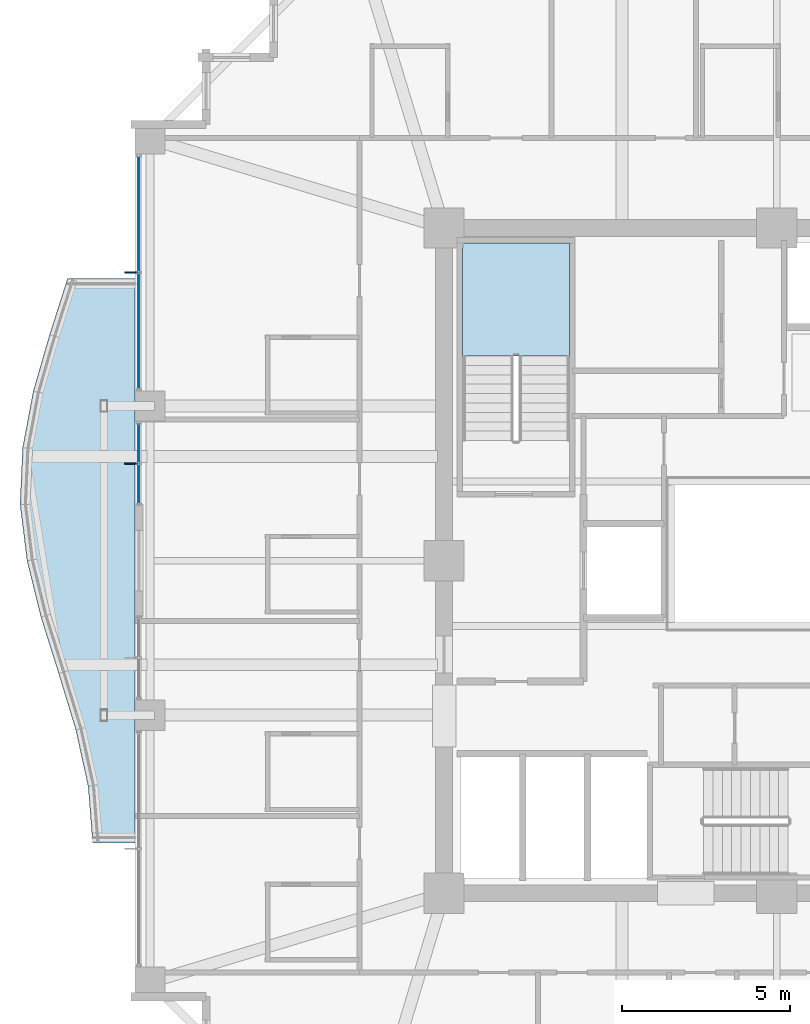
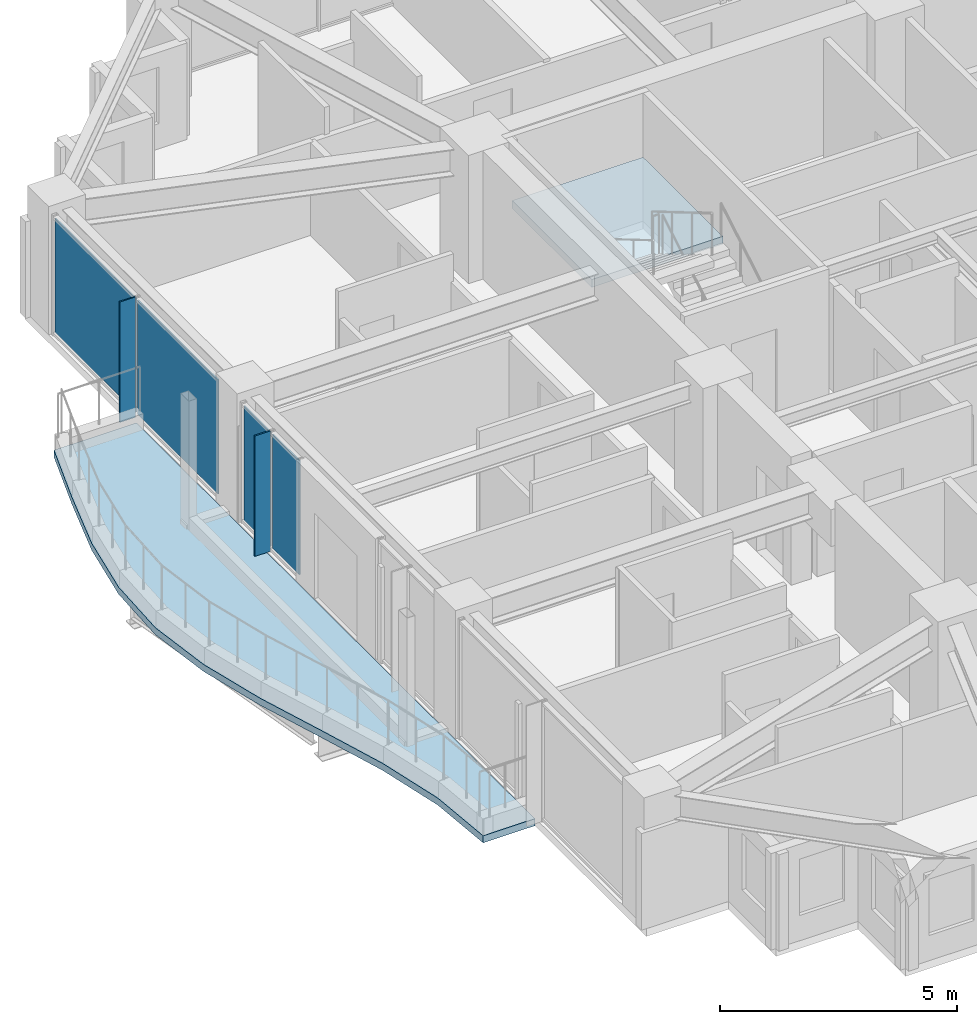
# One storey, part 26 of 37: 6 plates, 2 slabs, 3 elements without a shape of their own.
"""IFC4 building model written with IfcOpenShell, lengths in metres."""

from ifc_helpers import new_model, si_unit, direction, frame, origin, origin_2d, place, context, subcontext, project, spatial, polyline, rectangle, outline, extrude, material, layer, layer_set, type_object, element, aggregate, save


model = new_model("IFC4")

# Units and contexts
model_context = context("Model", 3, precision=1e-05, world=origin(), true_north=direction((0.0, 1.0)))
body_context = subcontext(model_context, "Body", "Model", "MODEL_VIEW")
ifc_project = project(units=[si_unit("LENGTHUNIT", "METRE"), si_unit("AREAUNIT", "SQUARE_METRE"), si_unit("VOLUMEUNIT", "CUBIC_METRE"), si_unit("PLANEANGLEUNIT", "RADIAN"), si_unit("MASSUNIT", "GRAM", prefix="KILO")], contexts=[model_context])

# Site, building, storey
site_placement = place(None, origin())
site = spatial("IfcSite", under=ifc_project, at=site_placement, CompositionType="ELEMENT")
building_placement = place(site_placement, origin())
building = spatial("IfcBuilding", under=site, at=building_placement, Name="Kolvaren Belvedere", CompositionType="ELEMENT")
storey_placement = place(building_placement, frame((0.0, 0.0, 156.89990234375)))
storey = spatial("IfcBuildingStorey", under=building, at=storey_placement, Name="L45", CompositionType="ELEMENT", Elevation=156.89990234375)

# Curtain wall, plates
ifc_material_1 = material(Name="Anodised pale-metal aluminium AA 6063-T6", Category="aluminium")
curtain_wall_type = type_object("IfcCurtainWallType", Name="CW-Z3-WAIST", PredefinedType="NOTDEFINED", material=ifc_material_1)
curtain_wall_1_placement = place(storey_placement, origin())
curtain_wall_1 = element("IfcCurtainWall", 1, at=curtain_wall_1_placement, inside=storey, type_object=curtain_wall_type, Name="L45 Unitised Curtain Wall FCW-L45-W2-B1", PredefinedType="NOTDEFINED")
ifc_material_2 = material(Name="Low-iron triple insulated glass", Category="glass")
ifc_layer_1 = layer(ifc_material_2, 0.028076171875)
ifc_layer_set_1 = layer_set([ifc_layer_1], Name="Low-iron triple insulated glass")
plate_type_1 = type_object("IfcPlateType", Name="CW-PNL-VIS28", PredefinedType="CURTAIN_PANEL", material=ifc_layer_set_1)
plate_1_placement = place(storey_placement, frame((-18.97998046875, 2.284423828125, 0.080078125), z_axis=(0.0, 0.0, 1.0), x_axis=(0.0, 1.0, 0.0)))
plate_1 = element("IfcPlate", 2, at=plate_1_placement, type_object=plate_type_1, Name="FCW-L45-W2-B1 Vision Glazing Panel 1", PredefinedType="CURTAIN_PANEL", context=body_context, shape_type="SweptSolid", body=[
    extrude(rectangle(XDim=1.12890625, YDim=0.028076171875, at=origin_2d()), origin(), (0.0, 0.0, 1.0), 2.93994140625),
])
plate_2_placement = place(storey_placement, frame((-18.97998046875, 3.4931640625, 0.080078125), z_axis=(0.0, 0.0, 1.0), x_axis=(0.0, 1.0, 0.0)))
plate_2 = element("IfcPlate", 3, at=plate_2_placement, type_object=plate_type_1, Name="FCW-L45-W2-B1 Vision Glazing Panel 2", PredefinedType="CURTAIN_PANEL", context=body_context, shape_type="SweptSolid", body=[
    extrude(rectangle(XDim=1.12890625, YDim=0.028076171875, at=origin_2d()), origin(), (0.0, 0.0, 1.0), 2.93994140625),
])
aggregate(curtain_wall_1, [plate_1, plate_2])

curtain_wall_2_placement = place(storey_placement, origin())
curtain_wall_2 = element("IfcCurtainWall", 4, at=curtain_wall_2_placement, inside=storey, type_object=curtain_wall_type, Name="L45 Unitised Curtain Wall FCW-L45-W2-B2", PredefinedType="NOTDEFINED")
plate_3_placement = place(storey_placement, frame((-18.97998046875, 6.8388671875, 0.080078125), z_axis=(0.0, 0.0, 1.0), x_axis=(0.0, 1.0, 0.0)))
plate_3 = element("IfcPlate", 5, at=plate_3_placement, type_object=plate_type_1, Name="FCW-L45-W2-B2 Vision Glazing Panel 1", PredefinedType="CURTAIN_PANEL", context=body_context, shape_type="SweptSolid", body=[
    extrude(rectangle(XDim=3.392578125, YDim=0.028076171875, at=origin_2d()), origin(), (0.0, 0.0, 1.0), 2.93994140625),
])
plate_4_placement = place(storey_placement, frame((-18.97998046875, 10.311279296875, 0.080078125), z_axis=(0.0, 0.0, 1.0), x_axis=(0.0, 1.0, 0.0)))
plate_4 = element("IfcPlate", 6, at=plate_4_placement, type_object=plate_type_1, Name="FCW-L45-W2-B2 Vision Glazing Panel 2", PredefinedType="CURTAIN_PANEL", context=body_context, shape_type="SweptSolid", body=[
    extrude(rectangle(XDim=3.392578125, YDim=0.028076171875, at=origin_2d()), origin(), (0.0, 0.0, 1.0), 2.93994140625),
])
aggregate(curtain_wall_2, [plate_3, plate_4])

# Plates
ifc_material_3 = material(Name="Anodised pale-metal aluminium AA 6063-T6", Category="aluminium")
ifc_layer_2 = layer(ifc_material_3, 0.033935546875)
ifc_layer_set_2 = layer_set([ifc_layer_2], Name="Anodised pale-metal aluminium AA 6063-T6")
plate_type_2 = type_object("IfcPlateType", Name="FIN-VERT-380", PredefinedType="USERDEFINED", material=ifc_layer_set_2)
for number, where, z_axis, x_axis, name in (
    (7, (-19.219970703125, 2.888671875, 0.0), (0.0, 0.0, 1.0), (1.0, 0.0, 0.0), "L45 Pale-Metal Vertical Shading Fin FCW-L45-W2-B1-1"),
    (8, (-19.219970703125, 8.574951171875, 0.0), (0.0, 0.0, 1.0), (1.0, 0.0, 0.0), "L45 Pale-Metal Vertical Shading Fin FCW-L45-W2-B2-1"),
):
    element("IfcPlate", number, at=place(storey_placement, frame(where, z_axis=z_axis, x_axis=x_axis)), inside=storey, type_object=plate_type_2, Name=name, ObjectType="VERTICAL FIN", PredefinedType="USERDEFINED", context=body_context, shape_type="SweptSolid", body=[
        extrude(rectangle(XDim=0.3798828125, YDim=0.033935546875, at=origin_2d()), origin(), (0.0, 0.0, 1.0), 3.10009765625),
    ])

# Slab
ifc_material_4 = material(Name="Concrete C50/60", Category="concrete")
ifc_layer_3 = layer(ifc_material_4, 0.179931640625)
ifc_layer_set_3 = layer_set([ifc_layer_3], Name="Concrete C50/60")
slab_type_1 = type_object("IfcSlabType", Name="SL-BAL-180", PredefinedType="FLOOR", material=ifc_layer_set_3)
slab_1_placement = place(storey_placement, frame((0.0, 0.0, -0.199951171875)))
element("IfcSlab", 9, at=slab_1_placement, inside=storey, type_object=slab_type_1, Name="L45 Planted Balcony BAL-W", PredefinedType="FLOOR", context=body_context, shape_type="SweptSolid", body=[
    extrude(outline(polyline([(-21.106201171875, 8.39990234375), (-21.642333984375, 6.719970703125), (-22.12841796875, 5.0400390625), (-22.444091796875, 3.360107421875), (-22.52001953125, 1.679931640625), (-22.313720703125, 0.0), (-21.89990234375, -1.679931640625), (-21.372314453125, -3.360107421875), (-20.861328125, -5.0400390625), (-20.49365234375, -6.719970703125), (-20.360107421875, -8.39990234375), (-19.10009765625, -8.39990234375), (-19.10009765625, -6.719970703125), (-19.10009765625, -5.0400390625), (-19.10009765625, -3.360107421875), (-19.10009765625, -1.679931640625), (-19.10009765625, 0.0), (-19.10009765625, 1.679931640625), (-19.10009765625, 3.360107421875), (-19.10009765625, 5.0400390625), (-19.10009765625, 6.719970703125), (-19.10009765625, 8.39990234375), (-21.106201171875, 8.39990234375)])), origin(), (0.0, 0.0, 1.0), 0.179931640625),
])

# Stair, slab
ifc_material_5 = material(Name="Concrete C50/60", Category="concrete")
stair_type = type_object("IfcStairType", Name="ST-CORE-1520", PredefinedType="HALF_TURN_STAIR", material=ifc_material_5)
stair_placement = place(storey_placement, origin())
stair = element("IfcStair", 10, at=stair_placement, inside=storey, type_object=stair_type, Name="L45 Protected Exit Stair ST-1", PredefinedType="HALF_TURN_STAIR")
ifc_material_6 = material(Name="Concrete C50/60", Category="concrete")
ifc_layer_4 = layer(ifc_material_6, 0.260009765625)
ifc_layer_set_4 = layer_set([ifc_layer_4], Name="Concrete C50/60")
slab_type_2 = type_object("IfcSlabType", Name="SL-LAND-260", PredefinedType="LANDING", material=ifc_layer_set_4)
slab_2_placement = place(storey_placement, frame((0.0, 0.0, 1.4501953125)))
slab_2 = element("IfcSlab", 11, at=slab_2_placement, type_object=slab_type_2, Name="ST-1 landing 1", PredefinedType="LANDING", context=body_context, shape_type="SweptSolid", body=[
    extrude(outline(polyline([(-6.159912109375, 6.090087890625), (-6.159912109375, 9.449951171875), (-9.35009765625, 9.449951171875), (-9.35009765625, 6.090087890625), (-6.159912109375, 6.090087890625)])), origin(), (0.0, 0.0, 1.0), 0.199951171875),
])
aggregate(stair, [slab_2])

save(model, "model.ifc")
